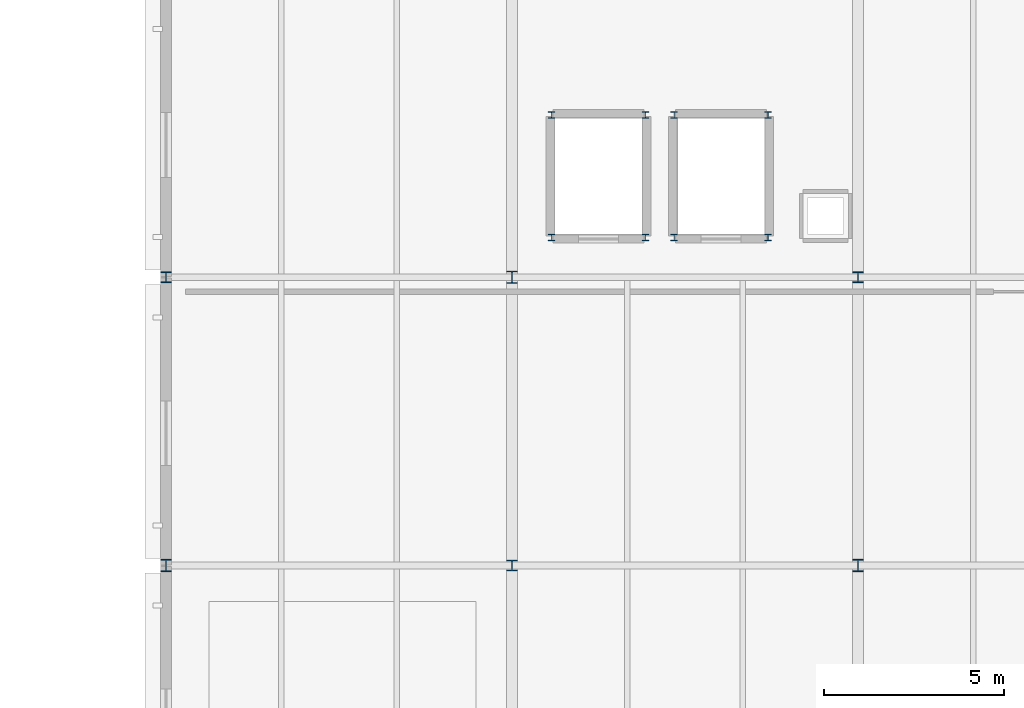
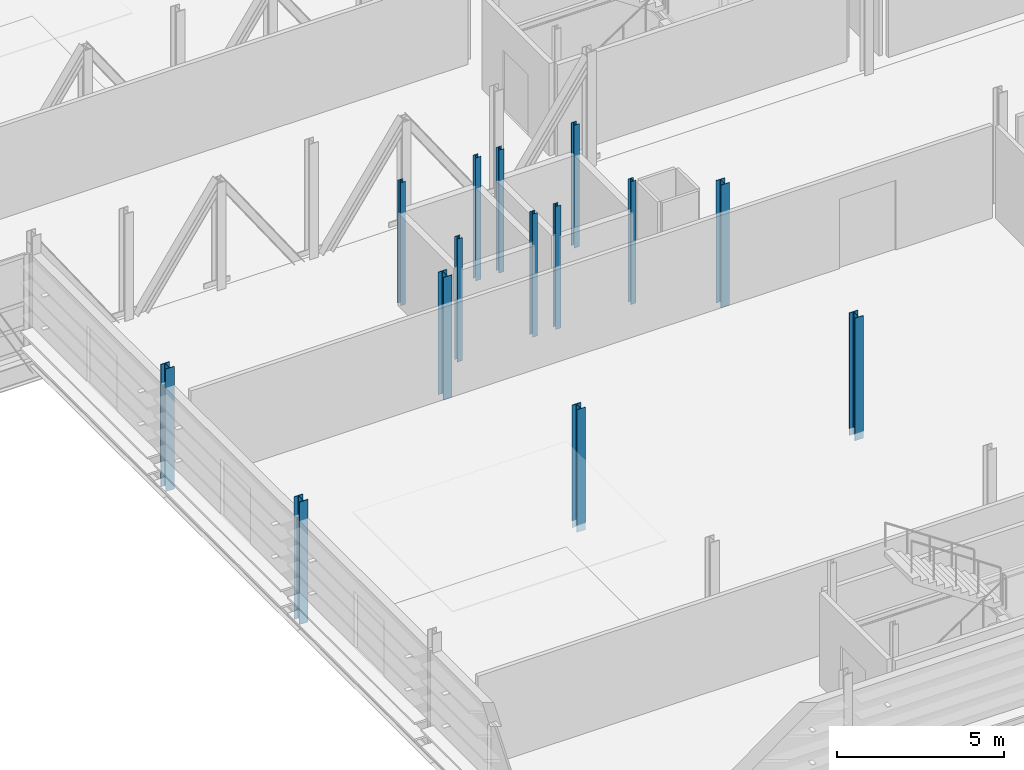
# One storey, part 3 of 73: 14 columns.
"""IFC4 building model written with IfcOpenShell, lengths in metres."""

from ifc_helpers import new_model, si_unit, direction, frame, origin, origin_2d, place, context, subcontext, project, spatial, i_section, extrude, material, material_profile, profile_set, type_object, element, save


model = new_model("IFC4")

# Units and contexts
model_context = context("Model", 3, precision=1e-05, world=origin(), true_north=direction((0.0, 1.0)))
body_context = subcontext(model_context, "Body", "Model", "MODEL_VIEW")
ifc_project = project(units=[si_unit("LENGTHUNIT", "METRE"), si_unit("AREAUNIT", "SQUARE_METRE"), si_unit("VOLUMEUNIT", "CUBIC_METRE"), si_unit("PLANEANGLEUNIT", "RADIAN"), si_unit("MASSUNIT", "GRAM", prefix="KILO")], contexts=[model_context])

# Site, building, storey
site_placement = place(None, origin())
site = spatial("IfcSite", under=ifc_project, at=site_placement, CompositionType="ELEMENT")
building_placement = place(site_placement, origin())
building = spatial("IfcBuilding", under=site, at=building_placement, Name="Alderhovde Museum", CompositionType="ELEMENT")
storey_placement = place(building_placement, frame((0.0, 0.0, 12.89990234375)))
storey = spatial("IfcBuildingStorey", under=building, at=storey_placement, Name="L03", CompositionType="ELEMENT", Elevation=12.89990234375)

# Columns
ifc_material_1 = material(Name="Steel S355J2", Category="steel")
ifc_material_profile_1 = material_profile(ifc_material_1, i_section(OverallWidth=0.179931640625, OverallDepth=0.1708984375, WebThickness=0.006103515625, FlangeThickness=0.009521484375, FilletRadius=0.014892578125, at=origin_2d()), Name="HEA 180")
ifc_profile_set_1 = profile_set([ifc_material_profile_1], Name="Steel S355J2")
column_type_1 = type_object("IfcColumnType", Name="COL-HEA180", PredefinedType="COLUMN", material=ifc_profile_set_1)
for number, where, z_axis, x_axis, name in (
    (1, (20.300048828125, 73.10009765625, 0.0), (0.0, 0.0, 1.0), (1.0, 0.0, 0.0), "L03 Lift PL-01 Shaft Column 1"),
    (2, (22.89990234375, 73.10009765625, 0.0), (0.0, 0.0, 1.0), (1.0, 0.0, 0.0), "L03 Lift PL-01 Shaft Column 2"),
    (3, (22.89990234375, 76.5, 0.0), (0.0, 0.0, 1.0), (1.0, 0.0, 0.0), "L03 Lift PL-01 Shaft Column 3"),
    (4, (20.300048828125, 76.5, 0.0), (0.0, 0.0, 1.0), (1.0, 0.0, 0.0), "L03 Lift PL-01 Shaft Column 4"),
    (5, (23.699951171875, 73.10009765625, 0.0), (0.0, 0.0, 1.0), (1.0, 0.0, 0.0), "L03 Lift PL-02 Shaft Column 1"),
    (6, (26.300048828125, 73.10009765625, 0.0), (0.0, 0.0, 1.0), (1.0, 0.0, 0.0), "L03 Lift PL-02 Shaft Column 2"),
    (7, (26.300048828125, 76.5, 0.0), (0.0, 0.0, 1.0), (1.0, 0.0, 0.0), "L03 Lift PL-02 Shaft Column 3"),
    (8, (23.699951171875, 76.5, 0.0), (0.0, 0.0, 1.0), (1.0, 0.0, 0.0), "L03 Lift PL-02 Shaft Column 4"),
):
    element("IfcColumn", number, at=place(storey_placement, frame(where, z_axis=z_axis, x_axis=x_axis)), inside=storey, type_object=column_type_1, Name=name, PredefinedType="COLUMN", context=body_context, shape_type="SweptSolid", body=[
        extrude(i_section(OverallWidth=0.179931640625, OverallDepth=0.1708984375, WebThickness=0.006103515625, FlangeThickness=0.009521484375, FilletRadius=0.014892578125, at=origin_2d()), origin(), (0.0, 0.0, 1.0), 4.5),
    ])
ifc_material_2 = material(Name="Steel S355J2", Category="steel")
ifc_material_profile_2 = material_profile(ifc_material_2, i_section(OverallWidth=0.300048828125, OverallDepth=0.300048828125, WebThickness=0.010986328125, FlangeThickness=0.01904296875, FilletRadius=0.027099609375, at=origin_2d()), Name="HEB 300")
ifc_profile_set_2 = profile_set([ifc_material_profile_2], Name="Steel S355J2")
column_type_2 = type_object("IfcColumnType", Name="COL-HEB300", PredefinedType="COLUMN", material=ifc_profile_set_2)
for number, where, z_axis, x_axis, name in (
    (9, (9.60009765625, 72.0, -0.260009765625), (0.0, 0.0, 1.0), (1.0, 0.0, 0.0), "L03 Column (9.6, 72.0)"),
    (10, (19.199951171875, 64.0, -0.260009765625), (0.0, 0.0, 1.0), (1.0, 0.0, 0.0), "L03 Column (19.2, 64.0)"),
    (11, (28.800048828125, 72.0, -0.260009765625), (0.0, 0.0, 1.0), (1.0, 0.0, 0.0), "L03 Column (28.8, 72.0)"),
):
    element("IfcColumn", number, at=place(storey_placement, frame(where, z_axis=z_axis, x_axis=x_axis)), inside=storey, type_object=column_type_2, Name=name, PredefinedType="COLUMN", context=body_context, shape_type="SweptSolid", body=[
        extrude(i_section(OverallWidth=0.300048828125, OverallDepth=0.300048828125, WebThickness=0.010986328125, FlangeThickness=0.01904296875, FilletRadius=0.027099609375, at=origin_2d()), origin(), (0.0, 0.0, 1.0), 4.480224609375),
    ])
ifc_material_3 = material(Name="Steel S355J2", Category="steel")
ifc_material_profile_3 = material_profile(ifc_material_3, i_section(OverallWidth=0.300048828125, OverallDepth=0.340087890625, WebThickness=0.011962890625, FlangeThickness=0.021484375, FilletRadius=0.027099609375, at=origin_2d()), Name="HEB 340")
ifc_profile_set_3 = profile_set([ifc_material_profile_3], Name="Steel S355J2")
column_type_3 = type_object("IfcColumnType", Name="COL-HEB340", PredefinedType="COLUMN", material=ifc_profile_set_3)
for number, where, z_axis, x_axis, name in (
    (12, (9.60009765625, 64.0, -0.260009765625), (0.0, 0.0, 1.0), (1.0, 0.0, 0.0), "L03 Column (9.6, 64.0)"),
    (13, (19.199951171875, 72.0, -0.260009765625), (0.0, 0.0, 1.0), (1.0, 0.0, 0.0), "L03 Column (19.2, 72.0)"),
    (14, (28.800048828125, 64.0, -0.260009765625), (0.0, 0.0, 1.0), (1.0, 0.0, 0.0), "L03 Column (28.8, 64.0)"),
):
    element("IfcColumn", number, at=place(storey_placement, frame(where, z_axis=z_axis, x_axis=x_axis)), inside=storey, type_object=column_type_3, Name=name, PredefinedType="COLUMN", context=body_context, shape_type="SweptSolid", body=[
        extrude(i_section(OverallWidth=0.300048828125, OverallDepth=0.340087890625, WebThickness=0.011962890625, FlangeThickness=0.021484375, FilletRadius=0.027099609375, at=origin_2d()), origin(), (0.0, 0.0, 1.0), 4.480224609375),
    ])

save(model, "model.ifc")
